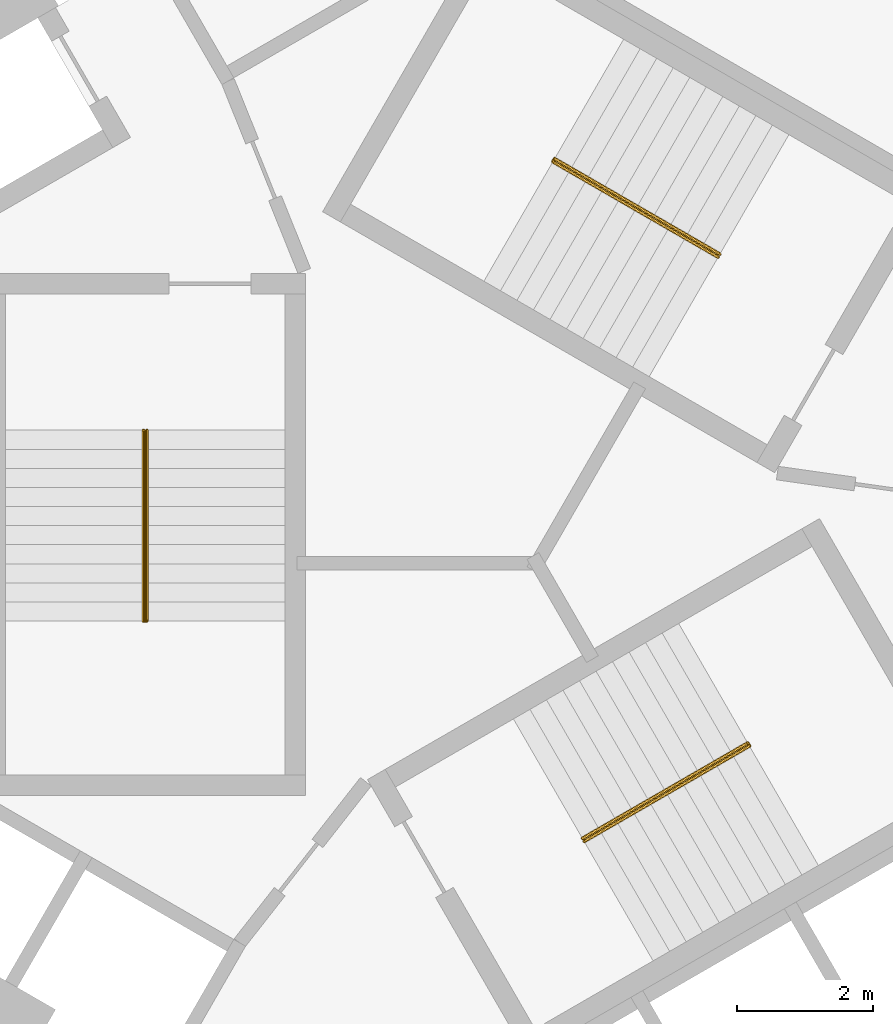
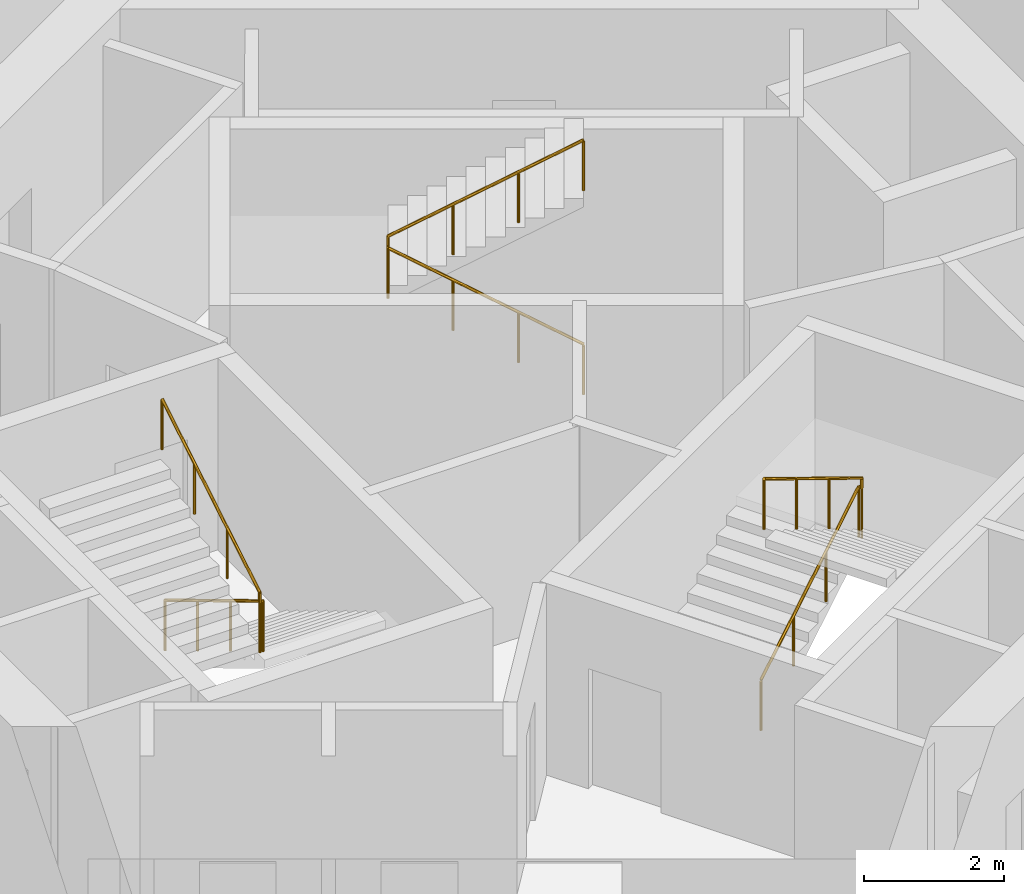
# One storey, part 11 of 11: 3 railings.
"""IFC4 building model written with IfcOpenShell, lengths in metres."""

from ifc_helpers import new_model, si_unit, direction, frame, origin, origin_2d, place, context, subcontext, project, spatial, circle, extrude, material, type_object, element, save


model = new_model("IFC4")

# Units and contexts
model_context = context("Model", 3, precision=1e-05, world=origin(), true_north=direction((0.0, 1.0)))
body_context = subcontext(model_context, "Body", "Model", "MODEL_VIEW")
ifc_project = project(units=[si_unit("LENGTHUNIT", "METRE"), si_unit("AREAUNIT", "SQUARE_METRE"), si_unit("VOLUMEUNIT", "CUBIC_METRE"), si_unit("PLANEANGLEUNIT", "RADIAN"), si_unit("MASSUNIT", "GRAM", prefix="KILO")], contexts=[model_context])

# Site, building, storey
site_placement = place(None, origin())
site = spatial("IfcSite", under=ifc_project, at=site_placement, CompositionType="ELEMENT")
building_placement = place(site_placement, origin())
building = spatial("IfcBuilding", under=site, at=building_placement, Name="Vanh Sen Convention Tower", CompositionType="ELEMENT")
storey_placement = place(building_placement, frame((0.0, 0.0, 210.60009765625)))
storey = spatial("IfcBuildingStorey", under=building, at=storey_placement, Name="L52", CompositionType="ELEMENT", Elevation=210.60009765625)

# Railings
ifc_material = material(Name="Stainless steel handrail", Category="steel")
railing_type = type_object("IfcRailingType", Name="Stair handrail 900", PredefinedType="HANDRAIL", material=ifc_material)
railing_1_placement = place(storey_placement, frame((3.45849609375, 3.690185546875, 0.168212890625)))
element("IfcRailing", 1, at=railing_1_placement, inside=storey, type_object=railing_type, Name="Stair handrail ST1 L52", PredefinedType="HANDRAIL", context=body_context, shape_type="SweptSolid", body=[
    extrude(circle(Radius=0.02392578125, at=origin_2d()), frame((0.0, 0.0, 0.8759765625), z_axis=(-0.74241905619, 0.428617687091, 0.514879426), x_axis=(-0.49998411664, -0.866034573852, 0.0)), (0.0, 0.0, 1.0), 3.26611328125),
    extrude(circle(Radius=0.02392578125, at=origin_2d()), frame((-2.4248046875, 1.39990234375, 2.5576171875), z_axis=(0.497188445666, 0.867642581652, 0.0), x_axis=(-0.867642581652, 0.497188445666, 0.0)), (0.0, 0.0, 1.0), 0.050048828125),
    extrude(circle(Radius=0.02392578125, at=origin_2d()), frame((-2.39990234375, 1.443359375, 2.5576171875), z_axis=(0.0, 0.0, 1.0), x_axis=(1.0, 0.0, 0.0)), (0.0, 0.0, 1.0), 0.168212890625),
    extrude(circle(Radius=0.02392578125, at=origin_2d()), frame((-2.39990234375, 1.443359375, 2.7255859375), z_axis=(0.742366697286, -0.42866220388, 0.514917859203), x_axis=(0.500049511043, 0.865996816683, 0.0)), (0.0, 0.0, 1.0), 3.266357421875),
    extrude(circle(Radius=0.02099609375, at=origin_2d()), origin(), (0.0, 0.0, 1.0), 0.851806640625),
    extrude(circle(Radius=0.02099609375, at=origin_2d()), frame((-0.808349609375, 0.466552734375, 0.560546875)), (0.0, 0.0, 1.0), 0.851806640625),
    extrude(circle(Radius=0.02099609375, at=origin_2d()), frame((-1.616455078125, 0.933349609375, 1.12109375)), (0.0, 0.0, 1.0), 0.851806640625),
    extrude(circle(Radius=0.02099609375, at=origin_2d()), frame((-2.4248046875, 1.39990234375, 1.681640625)), (0.0, 0.0, 1.0), 0.851806640625),
    extrude(circle(Radius=0.02099609375, at=origin_2d()), frame((-2.39990234375, 1.443359375, 1.681640625)), (0.0, 0.0, 1.0), 0.851806640625),
    extrude(circle(Radius=0.02099609375, at=origin_2d()), frame((-2.39990234375, 1.443359375, 1.849853515625)), (0.0, 0.0, 1.0), 0.851806640625),
    extrude(circle(Radius=0.02099609375, at=origin_2d()), frame((-1.591552734375, 0.9765625, 2.410400390625)), (0.0, 0.0, 1.0), 0.851806640625),
    extrude(circle(Radius=0.02099609375, at=origin_2d()), frame((-0.783447265625, 0.510009765625, 2.97119140625)), (0.0, 0.0, 1.0), 0.851806640625),
    extrude(circle(Radius=0.02099609375, at=origin_2d()), frame((0.02490234375, 0.043212890625, 3.53173828125)), (0.0, 0.0, 1.0), 0.851806640625),
])
railing_2_placement = place(storey_placement, frame((-4.925048828125, 1.14990234375, 0.168212890625)))
element("IfcRailing", 2, at=railing_2_placement, inside=storey, type_object=railing_type, Name="Stair handrail ST2 L52", PredefinedType="HANDRAIL", context=body_context, shape_type="SweptSolid", body=[
    extrude(circle(Radius=0.02392578125, at=origin_2d()), frame((0.0, 0.0, 0.8759765625), z_axis=(0.0, -0.857255387014, 0.514891446264), x_axis=(1.0, 0.0, 0.0)), (0.0, 0.0, 1.0), 3.26611328125),
    extrude(circle(Radius=0.02392578125, at=origin_2d()), frame((0.0, -2.7998046875, 2.5576171875), z_axis=(-1.0, 0.0, 0.0), x_axis=(0.0, -1.0, 0.0)), (0.0, 0.0, 1.0), 0.050048828125),
    extrude(circle(Radius=0.02392578125, at=origin_2d()), frame((-0.050048828125, -2.7998046875, 2.5576171875), z_axis=(0.0, 0.0, 1.0), x_axis=(1.0, 0.0, 0.0)), (0.0, 0.0, 1.0), 0.168212890625),
    extrude(circle(Radius=0.02392578125, at=origin_2d()), frame((-0.050048828125, -2.7998046875, 2.7255859375), z_axis=(0.0, 0.857222391501, 0.514946377315), x_axis=(-1.0, 0.0, 0.0)), (0.0, 0.0, 1.0), 3.26611328125),
    extrude(circle(Radius=0.02099609375, at=origin_2d()), origin(), (0.0, 0.0, 1.0), 0.851806640625),
    extrude(circle(Radius=0.02099609375, at=origin_2d()), frame((0.0, -0.933349609375, 0.560546875)), (0.0, 0.0, 1.0), 0.851806640625),
    extrude(circle(Radius=0.02099609375, at=origin_2d()), frame((0.0, -1.866455078125, 1.12109375)), (0.0, 0.0, 1.0), 0.851806640625),
    extrude(circle(Radius=0.02099609375, at=origin_2d()), frame((0.0, -2.7998046875, 1.681640625)), (0.0, 0.0, 1.0), 0.851806640625),
    extrude(circle(Radius=0.02099609375, at=origin_2d()), frame((-0.050048828125, -2.7998046875, 1.681640625)), (0.0, 0.0, 1.0), 0.851806640625),
    extrude(circle(Radius=0.02099609375, at=origin_2d()), frame((-0.050048828125, -2.7998046875, 1.849853515625)), (0.0, 0.0, 1.0), 0.851806640625),
    extrude(circle(Radius=0.02099609375, at=origin_2d()), frame((-0.050048828125, -1.866455078125, 2.410400390625)), (0.0, 0.0, 1.0), 0.851806640625),
    extrude(circle(Radius=0.02099609375, at=origin_2d()), frame((-0.050048828125, -0.933349609375, 2.97119140625)), (0.0, 0.0, 1.0), 0.851806640625),
    extrude(circle(Radius=0.02099609375, at=origin_2d()), frame((-0.050048828125, 0.0, 3.53173828125)), (0.0, 0.0, 1.0), 0.851806640625),
])
railing_3_placement = place(storey_placement, frame((1.466552734375, -4.840087890625, 0.168212890625)))
element("IfcRailing", 3, at=railing_3_placement, inside=storey, type_object=railing_type, Name="Stair handrail ST3 L52", PredefinedType="HANDRAIL", context=body_context, shape_type="SweptSolid", body=[
    extrude(circle(Radius=0.02392578125, at=origin_2d()), frame((0.0, 0.0, 0.8759765625), z_axis=(0.74241905619, 0.428617687091, 0.514879426), x_axis=(-0.49998411664, 0.866034573852, 0.0)), (0.0, 0.0, 1.0), 3.26611328125),
    extrude(circle(Radius=0.02392578125, at=origin_2d()), frame((2.4248046875, 1.39990234375, 2.5576171875), z_axis=(0.502959906984, -0.86430974307, 0.0), x_axis=(0.86430974307, 0.502959906984, 0.0)), (0.0, 0.0, 1.0), 0.050048828125),
    extrude(circle(Radius=0.02392578125, at=origin_2d()), frame((2.449951171875, 1.356689453125, 2.5576171875), z_axis=(0.0, 0.0, 1.0), x_axis=(1.0, 0.0, 0.0)), (0.0, 0.0, 1.0), 0.168212890625),
    extrude(circle(Radius=0.02392578125, at=origin_2d()), frame((2.449951171875, 1.356689453125, 2.7255859375), z_axis=(-0.742366697286, -0.42866220388, 0.514917859203), x_axis=(0.500049511043, -0.865996816683, 0.0)), (0.0, 0.0, 1.0), 3.266357421875),
    extrude(circle(Radius=0.02099609375, at=origin_2d()), origin(), (0.0, 0.0, 1.0), 0.851806640625),
    extrude(circle(Radius=0.02099609375, at=origin_2d()), frame((0.808349609375, 0.466552734375, 0.560546875)), (0.0, 0.0, 1.0), 0.851806640625),
    extrude(circle(Radius=0.02099609375, at=origin_2d()), frame((1.616455078125, 0.933349609375, 1.12109375)), (0.0, 0.0, 1.0), 0.851806640625),
    extrude(circle(Radius=0.02099609375, at=origin_2d()), frame((2.4248046875, 1.39990234375, 1.681640625)), (0.0, 0.0, 1.0), 0.851806640625),
    extrude(circle(Radius=0.02099609375, at=origin_2d()), frame((2.449951171875, 1.356689453125, 1.681640625)), (0.0, 0.0, 1.0), 0.851806640625),
    extrude(circle(Radius=0.02099609375, at=origin_2d()), frame((2.449951171875, 1.356689453125, 1.849853515625)), (0.0, 0.0, 1.0), 0.851806640625),
    extrude(circle(Radius=0.02099609375, at=origin_2d()), frame((1.6416015625, 0.889892578125, 2.410400390625)), (0.0, 0.0, 1.0), 0.851806640625),
    extrude(circle(Radius=0.02099609375, at=origin_2d()), frame((0.83349609375, 0.42333984375, 2.97119140625)), (0.0, 0.0, 1.0), 0.851806640625),
    extrude(circle(Radius=0.02099609375, at=origin_2d()), frame((0.025146484375, -0.04345703125, 3.53173828125)), (0.0, 0.0, 1.0), 0.851806640625),
])

save(model, "model.ifc")
